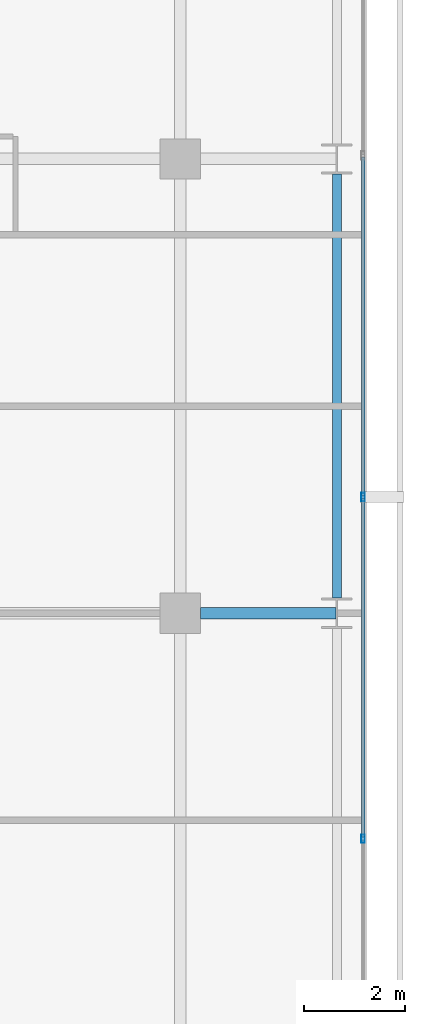
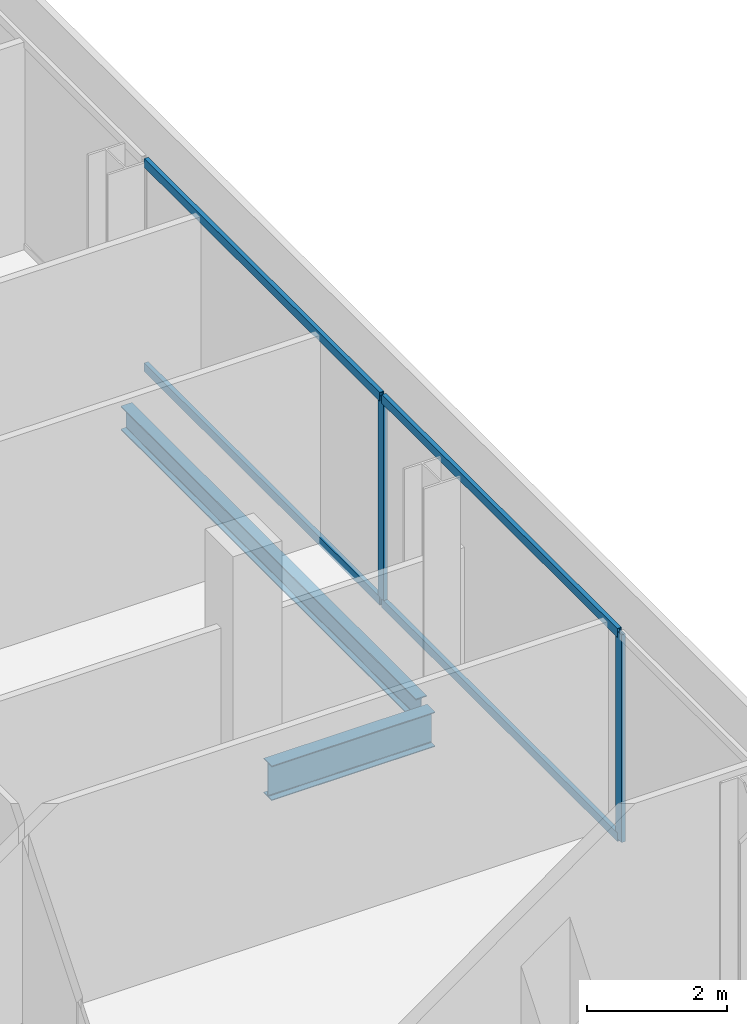
# One storey, part 17 of 34: 6 members, 2 beams, 1 element without a shape of its own.
"""IFC4 building model written with IfcOpenShell, lengths in metres."""

from ifc_helpers import new_model, si_unit, direction, frame, origin, origin_2d, place, context, subcontext, project, spatial, hollow_rectangle, i_section, extrude, material, layer, layer_set, material_profile, profile_set, type_object, element, aggregate, save


model = new_model("IFC4")

# Units and contexts
model_context = context("Model", 3, precision=1e-05, world=origin(), true_north=direction((0.0, 1.0)))
body_context = subcontext(model_context, "Body", "Model", "MODEL_VIEW")
ifc_project = project(units=[si_unit("LENGTHUNIT", "METRE"), si_unit("AREAUNIT", "SQUARE_METRE"), si_unit("VOLUMEUNIT", "CUBIC_METRE"), si_unit("PLANEANGLEUNIT", "RADIAN"), si_unit("MASSUNIT", "GRAM", prefix="KILO")], contexts=[model_context])

# Site, building, storey
site_placement = place(None, origin())
site = spatial("IfcSite", under=ifc_project, at=site_placement, CompositionType="ELEMENT")
building_placement = place(site_placement, origin())
building = spatial("IfcBuilding", under=site, at=building_placement, Name="Maruvema Waterfront Hotel and Observation Tower", CompositionType="ELEMENT")
storey_placement = place(building_placement, frame((0.0, 0.0, 177.449951171875)))
storey = spatial("IfcBuildingStorey", under=building, at=storey_placement, Name="L43", CompositionType="ELEMENT", Elevation=177.449951171875)

# Curtain wall, members
ifc_material_1 = material(Name="Anodised bronze aluminium and solar-control low-E IGU", Category="aluminium")
ifc_layer = layer(ifc_material_1, 0.159912109375, Name="Zone 2 Amber Inner Thermal Curtain Wall System CW-03")
ifc_layer_set = layer_set([ifc_layer], Name="Anodised bronze aluminium and solar-control low-E IGU")
curtain_wall_type = type_object("IfcCurtainWallType", Name="Zone 2 Amber Inner Thermal Curtain Wall System CW-03", PredefinedType="USERDEFINED", material=ifc_layer_set)
curtain_wall_placement = place(storey_placement, origin())
curtain_wall = element("IfcCurtainWall", 1, at=curtain_wall_placement, inside=storey, type_object=curtain_wall_type, Name="L43 Curtain Wall CW-L43-E", ObjectType="UNITISED CURTAIN WALL", PredefinedType="USERDEFINED")
ifc_material_2 = material(Name="Anodised architectural bronze aluminium", Category="aluminium")
ifc_material_profile_1 = material_profile(ifc_material_2, hollow_rectangle(XDim=0.070068359375, YDim=0.14990234375, WallThickness=0.00390625, at=origin_2d()), Name="ALU-T70x150")
ifc_profile_set_1 = profile_set([ifc_material_profile_1], Name="Anodised architectural bronze aluminium")
member_type_1 = type_object("IfcMemberType", Name="Curtain Wall Horizontal Transom ALU-T70x150", PredefinedType="USERDEFINED", material=ifc_profile_set_1)
member_1_placement = place(storey_placement, frame((62.419921875, 22.563232421875, 0.030029296875), z_axis=(0.0, 1.0, 0.0), x_axis=(-1.0, 0.0, 0.0)))
member_1 = element("IfcMember", 2, at=member_1_placement, type_object=member_type_1, Name="CW-03 transom 3.1", ObjectType="TRANSOM", PredefinedType="USERDEFINED", context=body_context, shape_type="SweptSolid", body=[
    extrude(hollow_rectangle(XDim=0.070068359375, YDim=0.14990234375, WallThickness=0.00390625, at=origin_2d()), origin(), (0.0, 0.0, 1.0), 6.706787109375),
])
member_2_placement = place(storey_placement, frame((62.419921875, 22.563232421875, 3.580078125), z_axis=(0.0, 1.0, 0.0), x_axis=(-1.0, 0.0, 0.0)))
member_2 = element("IfcMember", 3, at=member_2_placement, type_object=member_type_1, Name="CW-03 transom 3.2", ObjectType="TRANSOM", PredefinedType="USERDEFINED", context=body_context, shape_type="SweptSolid", body=[
    extrude(hollow_rectangle(XDim=0.070068359375, YDim=0.14990234375, WallThickness=0.00390625, at=origin_2d()), origin(), (0.0, 0.0, 1.0), 6.706787109375),
])
member_3_placement = place(storey_placement, frame((62.419921875, 29.330078125, 0.030029296875), z_axis=(0.0, 1.0, 0.0), x_axis=(-1.0, 0.0, 0.0)))
member_3 = element("IfcMember", 4, at=member_3_placement, type_object=member_type_1, Name="CW-03 transom 4.1", ObjectType="TRANSOM", PredefinedType="USERDEFINED", context=body_context, shape_type="SweptSolid", body=[
    extrude(hollow_rectangle(XDim=0.070068359375, YDim=0.14990234375, WallThickness=0.00390625, at=origin_2d()), origin(), (0.0, 0.0, 1.0), 6.70654296875),
])
member_4_placement = place(storey_placement, frame((62.419921875, 29.330078125, 3.580078125), z_axis=(0.0, 1.0, 0.0), x_axis=(-1.0, 0.0, 0.0)))
member_4 = element("IfcMember", 5, at=member_4_placement, type_object=member_type_1, Name="CW-03 transom 4.2", ObjectType="TRANSOM", PredefinedType="USERDEFINED", context=body_context, shape_type="SweptSolid", body=[
    extrude(hollow_rectangle(XDim=0.070068359375, YDim=0.14990234375, WallThickness=0.00390625, at=origin_2d()), origin(), (0.0, 0.0, 1.0), 6.70654296875),
])
ifc_material_3 = material(Name="Anodised architectural bronze aluminium", Category="aluminium")
ifc_material_profile_2 = material_profile(ifc_material_3, hollow_rectangle(XDim=0.06494140625, YDim=0.1650390625, WallThickness=0.00390625, at=origin_2d()), Name="ALU-M65x165")
ifc_profile_set_2 = profile_set([ifc_material_profile_2], Name="Anodised architectural bronze aluminium")
member_type_2 = type_object("IfcMemberType", Name="Curtain Wall Primary Mullion ALU-M65x165", PredefinedType="MULLION", material=ifc_profile_set_2)
member_5_placement = place(storey_placement, frame((62.419921875, 22.533447265625, 0.0), z_axis=(0.0, 0.0, 1.0), x_axis=(-1.0, 0.0, 0.0)))
member_5 = element("IfcMember", 6, at=member_5_placement, type_object=member_type_2, Name="CW-03 mullion 3", PredefinedType="MULLION", context=body_context, shape_type="SweptSolid", body=[
    extrude(hollow_rectangle(XDim=0.06494140625, YDim=0.1650390625, WallThickness=0.00390625, at=origin_2d()), origin(), (0.0, 0.0, 1.0), 3.610107421875),
])
member_6_placement = place(storey_placement, frame((62.419921875, 29.300048828125, 0.0), z_axis=(0.0, 0.0, 1.0), x_axis=(-1.0, 0.0, 0.0)))
member_6 = element("IfcMember", 7, at=member_6_placement, type_object=member_type_2, Name="CW-03 mullion 4", PredefinedType="MULLION", context=body_context, shape_type="SweptSolid", body=[
    extrude(hollow_rectangle(XDim=0.06494140625, YDim=0.1650390625, WallThickness=0.00390625, at=origin_2d()), origin(), (0.0, 0.0, 1.0), 3.610107421875),
])
aggregate(curtain_wall, [member_5, member_6, member_1, member_2, member_3, member_4])

# Beams
ifc_material_4 = material(Name="Steel ASTM A572 Grade 50", Category="steel")
ifc_material_profile_3 = material_profile(ifc_material_4, i_section(OverallWidth=0.180908203125, OverallDepth=0.4169921875, WebThickness=0.010986328125, FlangeThickness=0.018310546875, FilletRadius=0.014892578125, at=origin_2d()), Name="W410x85.0")
ifc_profile_set_3 = profile_set([ifc_material_profile_3], Name="Steel ASTM A572 Grade 50")
beam_type_1 = type_object("IfcBeamType", Name="Perimeter Spandrel Beam W410x85.0", PredefinedType="SPANDREL", material=ifc_profile_set_3)
beam_1_placement = place(storey_placement, frame((61.89990234375, 27.300048828125, -0.448486328125), z_axis=(0.0, 1.0, 0.0), x_axis=(-1.0, 0.0, 0.0)))
element("IfcBeam", 8, at=beam_1_placement, inside=storey, type_object=beam_type_1, Name="L43 Floor Girder NS-31", PredefinedType="SPANDREL", context=body_context, shape_type="SweptSolid", body=[
    extrude(i_section(OverallWidth=0.180908203125, OverallDepth=0.4169921875, WebThickness=0.010986328125, FlangeThickness=0.018310546875, FilletRadius=0.014892578125, at=origin_2d()), origin(), (0.0, 0.0, 1.0), 8.39990234375),
])
ifc_material_5 = material(Name="Steel ASTM A572 Grade 50", Category="steel")
ifc_material_profile_4 = material_profile(ifc_material_5, i_section(OverallWidth=0.22802734375, OverallDepth=0.60302734375, WebThickness=0.010498046875, FlangeThickness=0.014892578125, FilletRadius=0.01806640625, at=origin_2d()), Name="W610x101.0")
ifc_profile_set_4 = profile_set([ifc_material_profile_4], Name="Steel ASTM A572 Grade 50")
beam_type_2 = type_object("IfcBeamType", Name="Primary Floor Girder W610x101.0", PredefinedType="BEAM", material=ifc_profile_set_4)
beam_2_placement = place(storey_placement, frame((59.199951171875, 27.0, -0.54150390625), z_axis=(1.0, 0.0, 0.0), x_axis=(0.0, 1.0, 0.0)))
element("IfcBeam", 9, at=beam_2_placement, inside=storey, type_object=beam_type_2, Name="L43 Floor Girder EW-22", PredefinedType="BEAM", context=body_context, shape_type="SweptSolid", body=[
    extrude(i_section(OverallWidth=0.22802734375, OverallDepth=0.60302734375, WebThickness=0.010498046875, FlangeThickness=0.014892578125, FilletRadius=0.01806640625, at=origin_2d()), origin(), (0.0, 0.0, 1.0), 2.6875),
])

save(model, "model.ifc")
